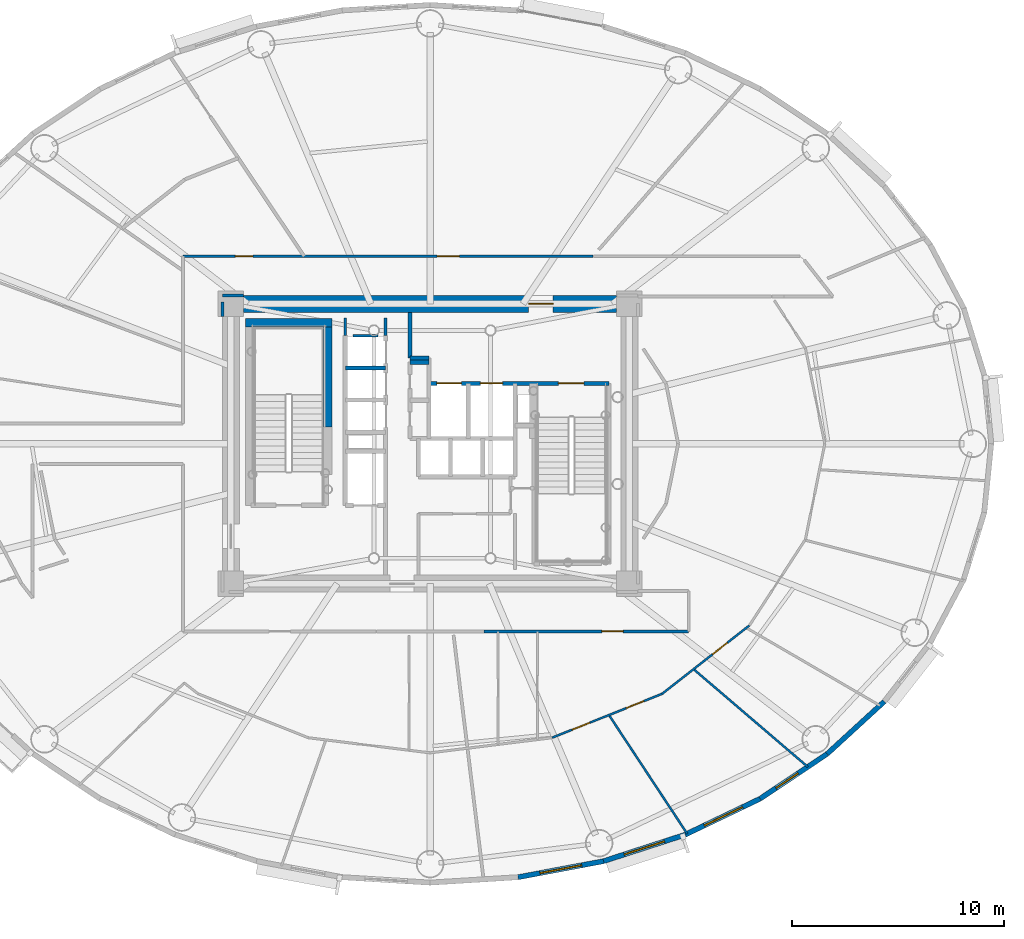
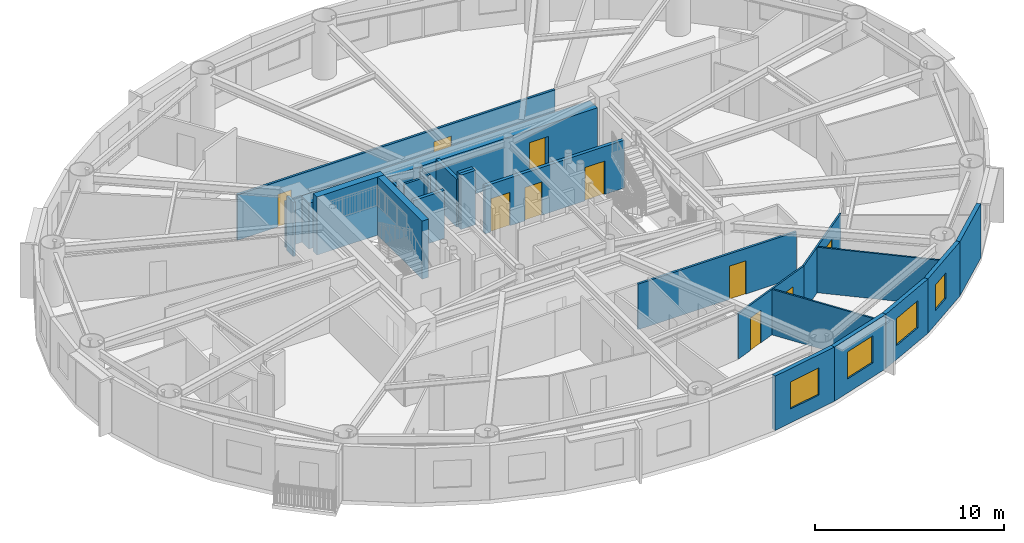
# One storey, part 10 of 18: 24 walls, 10 doors, 4 windows, 14 openings.
"""IFC4 building model written with IfcOpenShell, lengths in metres."""

from ifc_helpers import new_model, si_unit, direction, frame, frame_2d, origin, origin_2d, place, context, subcontext, project, spatial, rectangle, extrude, source, transform, mapped, material, layer, layer_set, type_object, element, fill, save


model = new_model("IFC4")

# Units and contexts
model_context = context("Model", 3, precision=1e-05, world=origin(), true_north=direction((0.0, 1.0)))
body_context = subcontext(model_context, "Body", "Model", "MODEL_VIEW")
ifc_project = project(units=[si_unit("LENGTHUNIT", "METRE"), si_unit("AREAUNIT", "SQUARE_METRE"), si_unit("VOLUMEUNIT", "CUBIC_METRE"), si_unit("PLANEANGLEUNIT", "RADIAN"), si_unit("MASSUNIT", "GRAM", prefix="KILO")], contexts=[model_context])

# Site, building, storey
site_placement = place(None, origin())
site = spatial("IfcSite", under=ifc_project, at=site_placement, CompositionType="ELEMENT")
building_placement = place(site_placement, origin())
building = spatial("IfcBuilding", under=site, at=building_placement, Name="Linh Dai School and Residence Tower", CompositionType="ELEMENT")
storey_placement = place(building_placement, frame((0.0, 0.0, 167.39990234375)))
storey = spatial("IfcBuildingStorey", under=building, at=storey_placement, Name="L40", CompositionType="ELEMENT", Elevation=167.39990234375)

# Wall, opening, window
ifc_material_1 = material(Name="Precast Concrete B45 (C35/45)", Category="concrete")
ifc_layer_1 = layer(ifc_material_1, 0.239990234375)
ifc_layer_set_1 = layer_set([ifc_layer_1], Name="Precast Concrete B45 (C35/45)")
wall_type_1 = type_object("IfcWallType", Name="EW-TC-240", PredefinedType="SOLIDWALL", material=ifc_layer_set_1)
wall_1_placement = place(storey_placement, frame((44.18896484375, 7.310546875, 0.0), z_axis=(0.0, 0.0, 1.0), x_axis=(-0.982788108205, -0.184736391573, 0.0)))
wall_1 = element("IfcWall", 1, at=wall_1_placement, inside=storey, type_object=wall_type_1, Name="L40 Terracotta Exterior Wall 32", PredefinedType="SOLIDWALL", context=body_context, shape_type="SweptSolid", body=[
    extrude(rectangle(XDim=4.114013671875, YDim=0.239990234375, at=frame_2d((2.05712890625, 0.0))), origin(), (0.0, 0.0, 1.0), 3.5),
])
opening_1_placement = place(wall_1_placement, frame((1.05712890625, 0.0, 0.89990234375)))
opening_1 = element("IfcOpeningElement", 2, at=opening_1_placement, cuts=wall_1, Name="Opening W1", PredefinedType="OPENING", context=body_context, shape_type="SweptSolid", body=[
    extrude(rectangle(XDim=2.0, YDim=1.75, at=origin_2d()), frame((1.0, 0.1298828125, 0.875), z_axis=(0.0, -1.0, 0.0), x_axis=(1.0, 0.0, 0.0)), (0.0, 0.0, 1.0), 0.260009765625),
])
ifc_material_2 = material(Name="Double Low-E Insulated Glazing", Category="glass")
window_type_1 = type_object("IfcWindowType", Name="WN-RES-2000x1750", PartitioningType="DOUBLE_PANEL_VERTICAL", PredefinedType="WINDOW", material=ifc_material_2)
shared_shape_1 = source(origin(), body_context, "Body", "SweptSolid", [
    extrude(rectangle(XDim=2.0, YDim=1.75, at=origin_2d()), frame((1.0, 0.030029296875, 0.875), z_axis=(0.0, -1.0, 0.0), x_axis=(1.0, 0.0, 0.0)), (0.0, 0.0, 1.0), 0.06005859375),
])
window_1_placement = place(opening_1_placement, origin())
window_1 = element("IfcWindow", 3, at=window_1_placement, inside=storey, type_object=window_type_1, Name="L40 Exterior Window 32.1", OverallHeight=1.75, OverallWidth=2.0, PartitioningType="DOUBLE_PANEL_VERTICAL", PredefinedType="WINDOW", context=body_context, shape_type="MappedRepresentation", body=[
    mapped(shared_shape_1, transform((0.0, 0.0, 0.0), x_axis=(1.0, 0.0, 0.0), y_axis=(0.0, 1.0, 0.0), z_axis=(0.0, 0.0, 1.0), scale=1.0)),
])
fill(opening_1, window_1)

wall_2_placement = place(storey_placement, frame((48.02978515625, 8.556396484375, 0.0), z_axis=(0.0, 0.0, 1.0), x_axis=(-0.951209870236, -0.30854462038, 0.0)))
wall_2 = element("IfcWall", 4, at=wall_2_placement, inside=storey, type_object=wall_type_1, Name="L40 Terracotta Exterior Wall 33", PredefinedType="SOLIDWALL", context=body_context, shape_type="SweptSolid", body=[
    extrude(rectangle(XDim=4.037841796875, YDim=0.239990234375, at=frame_2d((2.01904296875, 0.0))), origin(), (0.0, 0.0, 1.0), 3.5),
])
opening_2_placement = place(wall_2_placement, frame((1.01904296875, 0.0, 0.89990234375)))
opening_2 = element("IfcOpeningElement", 5, at=opening_2_placement, cuts=wall_2, Name="Opening W1", PredefinedType="OPENING", context=body_context, shape_type="SweptSolid", body=[
    extrude(rectangle(XDim=2.0, YDim=1.75, at=origin_2d()), frame((1.0, 0.1298828125, 0.875), z_axis=(0.0, -1.0, 0.0), x_axis=(1.0, 0.0, 0.0)), (0.0, 0.0, 1.0), 0.260009765625),
])
window_2_placement = place(opening_2_placement, origin())
window_2 = element("IfcWindow", 6, at=window_2_placement, inside=storey, type_object=window_type_1, Name="L40 Exterior Window 33.1", OverallHeight=1.75, OverallWidth=2.0, PartitioningType="DOUBLE_PANEL_VERTICAL", PredefinedType="WINDOW", context=body_context, shape_type="MappedRepresentation", body=[
    mapped(shared_shape_1, transform((0.0, 0.0, 0.0), x_axis=(1.0, 0.0, 0.0), y_axis=(0.0, 1.0, 0.0), z_axis=(0.0, 0.0, 1.0), scale=1.0)),
])
fill(opening_2, window_2)

wall_3_placement = place(storey_placement, frame((51.5732421875, 10.2568359375, 0.0), z_axis=(0.0, 0.0, 1.0), x_axis=(-0.901564733809, -0.432644231155, 0.0)))
wall_3 = element("IfcWall", 7, at=wall_3_placement, inside=storey, type_object=wall_type_1, Name="L40 Terracotta Exterior Wall 34", PredefinedType="SOLIDWALL", context=body_context, shape_type="SweptSolid", body=[
    extrude(rectangle(XDim=3.930419921875, YDim=0.239990234375, at=frame_2d((1.96533203125, 0.0))), origin(), (0.0, 0.0, 1.0), 3.5),
])
opening_3_placement = place(wall_3_placement, frame((0.922607421875, 0.0, 0.89990234375)))
opening_3 = element("IfcOpeningElement", 8, at=opening_3_placement, cuts=wall_3, Name="Opening W1", PredefinedType="OPENING", context=body_context, shape_type="SweptSolid", body=[
    extrude(rectangle(XDim=2.0, YDim=1.75, at=origin_2d()), frame((1.0, 0.1298828125, 0.875), z_axis=(0.0, -1.0, 0.0), x_axis=(1.0, 0.0, 0.0)), (0.0, 0.0, 1.0), 0.260009765625),
])
window_3_placement = place(opening_3_placement, origin())
window_3 = element("IfcWindow", 9, at=window_3_placement, inside=storey, type_object=window_type_1, Name="L40 Exterior Window 34.1", OverallHeight=1.75, OverallWidth=2.0, PartitioningType="DOUBLE_PANEL_VERTICAL", PredefinedType="WINDOW", context=body_context, shape_type="MappedRepresentation", body=[
    mapped(shared_shape_1, transform((0.0, 0.0, 0.0), x_axis=(1.0, 0.0, 0.0), y_axis=(0.0, 1.0, 0.0), z_axis=(0.0, 0.0, 1.0), scale=1.0)),
])
fill(opening_3, window_3)

wall_4_placement = place(storey_placement, frame((54.73193359375, 12.369384765625, 0.0), z_axis=(0.0, 0.0, 1.0), x_axis=(-0.831228998277, -0.555930168657, 0.0)))
wall_4 = element("IfcWall", 10, at=wall_4_placement, inside=storey, type_object=wall_type_1, Name="L40 Terracotta Exterior Wall 35", PredefinedType="SOLIDWALL", context=body_context, shape_type="SweptSolid", body=[
    extrude(rectangle(XDim=3.800048828125, YDim=0.239990234375, at=frame_2d((1.89990234375, 0.0))), origin(), (0.0, 0.0, 1.0), 3.5),
])
opening_4_placement = place(wall_4_placement, frame((1.647705078125, 0.0, 0.89990234375)))
opening_4 = element("IfcOpeningElement", 11, at=opening_4_placement, cuts=wall_4, Name="Opening W3", PredefinedType="OPENING", context=body_context, shape_type="SweptSolid", body=[
    extrude(rectangle(XDim=1.25, YDim=1.64990234375, at=origin_2d()), frame((0.625, 0.1298828125, 0.824951171875), z_axis=(0.0, -1.0, 0.0), x_axis=(1.0, 0.0, 0.0)), (0.0, 0.0, 1.0), 0.260009765625),
])
window_type_2 = type_object("IfcWindowType", Name="WN-RES-1250x1650", PartitioningType="SINGLE_PANEL", PredefinedType="WINDOW", material=ifc_material_2)
shared_shape_2 = source(origin(), body_context, "Body", "SweptSolid", [
    extrude(rectangle(XDim=1.25, YDim=1.64990234375, at=origin_2d()), frame((0.625, 0.030029296875, 0.824951171875), z_axis=(0.0, -1.0, 0.0), x_axis=(1.0, 0.0, 0.0)), (0.0, 0.0, 1.0), 0.06005859375),
])
window_4_placement = place(opening_4_placement, origin())
window_4 = element("IfcWindow", 12, at=window_4_placement, inside=storey, type_object=window_type_2, Name="L40 Exterior Window 35.1", OverallHeight=1.64990234375, OverallWidth=1.25, PartitioningType="SINGLE_PANEL", PredefinedType="WINDOW", context=body_context, shape_type="MappedRepresentation", body=[
    mapped(shared_shape_2, transform((0.0, 0.0, 0.0), x_axis=(1.0, 0.0, 0.0), y_axis=(0.0, 1.0, 0.0), z_axis=(0.0, 0.0, 1.0), scale=1.0)),
])
fill(opening_4, window_4)

# Wall
wall_5_placement = place(storey_placement, frame((57.42822265625, 14.841552734375, 0.0), z_axis=(0.0, 0.0, 1.0), x_axis=(-0.737076565834, -0.675809245349, 0.0)))
element("IfcWall", 13, at=wall_5_placement, inside=storey, type_object=wall_type_1, Name="L40 Terracotta Exterior Wall 36", PredefinedType="SOLIDWALL", context=body_context, shape_type="SweptSolid", body=[
    extrude(rectangle(XDim=3.658203125, YDim=0.239990234375, at=frame_2d((1.8291015625, 0.0))), origin(), (0.0, 0.0, 1.0), 3.5),
])

# Wall, openings, doors
ifc_material_3 = material(Name="Autoclaved Aerated Concrete Blockwork", Category="masonry")
ifc_layer_2 = layer(ifc_material_3, 0.135009765625)
ifc_layer_set_2 = layer_set([ifc_layer_2], Name="Autoclaved Aerated Concrete Blockwork")
wall_type_2 = type_object("IfcWallType", Name="IW-CORR-135-EI90", PredefinedType="PARTITIONING", material=ifc_layer_set_2)
wall_6_placement = place(storey_placement, frame((24.35009765625, 35.85009765625, 0.0), z_axis=(0.0, 0.0, 1.0), x_axis=(1.0, 0.0, 0.0)))
wall_6 = element("IfcWall", 14, at=wall_6_placement, inside=storey, type_object=wall_type_2, Name="L40 Interior Partition Wall 020", PredefinedType="PARTITIONING", context=body_context, shape_type="SweptSolid", body=[
    extrude(rectangle(XDim=19.343017578125, YDim=0.135009765625, at=frame_2d((9.67138671875, 0.0))), origin(), (0.0, 0.0, 1.0), 2.93505859375),
])
opening_5_placement = place(wall_6_placement, frame((11.98046875, 0.0, 0.0)))
opening_5 = element("IfcOpeningElement", 15, at=opening_5_placement, cuts=wall_6, Name="Opening D04", PredefinedType="OPENING", context=body_context, shape_type="SweptSolid", body=[
    extrude(rectangle(XDim=1.050048828125, YDim=2.14990234375, at=origin_2d()), frame((0.52490234375, 0.07763671875, 1.074951171875), z_axis=(0.0, -1.0, 0.0), x_axis=(1.0, 0.0, 0.0)), (0.0, 0.0, 1.0), 0.155029296875),
])
opening_6_placement = place(wall_6_placement, frame((2.4638671875, 0.0, 0.0)))
opening_6 = element("IfcOpeningElement", 16, at=opening_6_placement, cuts=wall_6, Name="Opening D06", PredefinedType="OPENING", context=body_context, shape_type="SweptSolid", body=[
    extrude(rectangle(XDim=0.820068359375, YDim=2.10009765625, at=origin_2d()), frame((0.41015625, 0.07763671875, 1.050048828125), z_axis=(0.0, -1.0, 0.0), x_axis=(1.0, 0.0, 0.0)), (0.0, 0.0, 1.0), 0.155029296875),
])
ifc_material_4 = material(Name="Acoustic Vision-Panel Timber Classroom Door", Category="wood")
door_type_1 = type_object("IfcDoorType", Name="DR-SCH-1050x2150-FD60S", OperationType="NOTDEFINED", PredefinedType="DOOR", material=ifc_material_4)
shared_shape_3 = source(origin(), body_context, "Body", "SweptSolid", [
    extrude(rectangle(XDim=1.050048828125, YDim=2.14990234375, at=origin_2d()), frame((0.52490234375, 0.02490234375, 1.074951171875), z_axis=(0.0, -1.0, 0.0), x_axis=(1.0, 0.0, 0.0)), (0.0, 0.0, 1.0), 0.050048828125),
])
door_1_placement = place(opening_5_placement, origin())
door_1 = element("IfcDoor", 17, at=door_1_placement, inside=storey, type_object=door_type_1, Name="L40 Resident Music and Cinema Salon Door", OperationType="SINGLE_SWING_RIGHT", OverallHeight=2.14990234375, OverallWidth=1.050048828125, PredefinedType="DOOR", context=body_context, shape_type="MappedRepresentation", body=[
    mapped(shared_shape_3, transform((0.0, 0.0, 0.0), x_axis=(1.0, 0.0, 0.0), y_axis=(0.0, 1.0, 0.0), z_axis=(0.0, 0.0, 1.0), scale=1.0)),
])
fill(opening_5, door_1)
ifc_material_5 = material(Name="Moisture-Resistant Timber Bathroom Door", Category="wood")
door_type_2 = type_object("IfcDoorType", Name="DR-WET-820x2100", OperationType="NOTDEFINED", PredefinedType="DOOR", material=ifc_material_5)
shared_shape_4 = source(origin(), body_context, "Body", "SweptSolid", [
    extrude(rectangle(XDim=0.820068359375, YDim=2.10009765625, at=origin_2d()), frame((0.41015625, 0.02490234375, 1.050048828125), z_axis=(0.0, -1.0, 0.0), x_axis=(1.0, 0.0, 0.0)), (0.0, 0.0, 1.0), 0.050048828125),
])
door_2_placement = place(opening_6_placement, origin())
door_2 = element("IfcDoor", 18, at=door_2_placement, inside=storey, type_object=door_type_2, Name="L40 Amenity Accessible WC Door", OperationType="SINGLE_SWING_LEFT", OverallHeight=2.10009765625, OverallWidth=0.820068359375, PredefinedType="DOOR", context=body_context, shape_type="MappedRepresentation", body=[
    mapped(shared_shape_4, transform((0.0, 0.0, 0.0), x_axis=(1.0, 0.0, 0.0), y_axis=(0.0, 1.0, 0.0), z_axis=(0.0, 0.0, 1.0), scale=1.0)),
])
fill(opening_6, door_2)

# Wall, opening, door
wall_7_placement = place(storey_placement, frame((38.541259765625, 18.14990234375, 0.0), z_axis=(0.0, 0.0, 1.0), x_axis=(1.0, 0.0, 0.0)))
wall_7 = element("IfcWall", 19, at=wall_7_placement, inside=storey, type_object=wall_type_2, Name="L40 Interior Partition Wall 053", PredefinedType="PARTITIONING", context=body_context, shape_type="SweptSolid", body=[
    extrude(rectangle(XDim=9.65869140625, YDim=0.135009765625, at=frame_2d((4.829345703125, 0.0))), origin(), (0.0, 0.0, 1.0), 2.93505859375),
])
opening_7_placement = place(wall_7_placement, frame((5.568115234375, 0.0, 0.0)))
opening_7 = element("IfcOpeningElement", 20, at=opening_7_placement, cuts=wall_7, Name="Opening D03", PredefinedType="OPENING", context=body_context, shape_type="SweptSolid", body=[
    extrude(rectangle(XDim=1.0, YDim=2.14990234375, at=origin_2d()), frame((0.5, 0.07763671875, 1.074951171875), z_axis=(0.0, -1.0, 0.0), x_axis=(1.0, 0.0, 0.0)), (0.0, 0.0, 1.0), 0.155029296875),
])
ifc_material_6 = material(Name="Fire-Rated Solid Timber Entrance Door", Category="wood")
door_type_3 = type_object("IfcDoorType", Name="DR-FLAT-1000x2150-FD60S", OperationType="NOTDEFINED", PredefinedType="DOOR", material=ifc_material_6)
shared_shape_5 = source(origin(), body_context, "Body", "SweptSolid", [
    extrude(rectangle(XDim=1.0, YDim=2.14990234375, at=origin_2d()), frame((0.5, 0.02490234375, 1.074951171875), z_axis=(0.0, -1.0, 0.0), x_axis=(1.0, 0.0, 0.0)), (0.0, 0.0, 1.0), 0.050048828125),
])
door_3_placement = place(opening_7_placement, origin())
door_3 = element("IfcDoor", 21, at=door_3_placement, inside=storey, type_object=door_type_3, Name="L40 U4002 Apartment Entrance Door", OperationType="SINGLE_SWING_LEFT", OverallHeight=2.14990234375, OverallWidth=1.0, PredefinedType="DOOR", context=body_context, shape_type="MappedRepresentation", body=[
    mapped(shared_shape_5, transform((0.0, 0.0, 0.0), x_axis=(1.0, 0.0, 0.0), y_axis=(0.0, 1.0, 0.0), z_axis=(0.0, 0.0, 1.0), scale=1.0)),
])
fill(opening_7, door_3)

# Walls
wall_8_placement = place(storey_placement, frame((32.360107421875, 32.10009765625, 0.0), z_axis=(0.0, 0.0, 1.0), x_axis=(1.0, 0.0, 0.0)))
element("IfcWall", 22, at=wall_8_placement, inside=storey, type_object=wall_type_2, Name="L40 Interior Partition Wall 081", PredefinedType="PARTITIONING", context=body_context, shape_type="SweptSolid", body=[
    extrude(rectangle(XDim=1.179931640625, YDim=0.135009765625, at=frame_2d((0.58984375, 0.0))), origin(), (0.0, 0.0, 1.0), 3.085205078125),
])
wall_9_placement = place(storey_placement, frame((32.0, 32.93994140625, 0.0), z_axis=(0.0, 0.0, 1.0), x_axis=(0.0, -1.0, 0.0)))
element("IfcWall", 23, at=wall_9_placement, inside=storey, type_object=wall_type_2, Name="L40 Interior Partition Wall 083", PredefinedType="PARTITIONING", context=body_context, shape_type="SweptSolid", body=[
    extrude(rectangle(XDim=0.829833984375, YDim=0.135009765625, at=frame_2d((0.4150390625, 0.0))), origin(), (0.0, 0.0, 1.0), 3.03515625),
])
wall_10_placement = place(storey_placement, frame((33.89990234375, 32.110107421875, 0.0), z_axis=(0.0, 0.0, 1.0), x_axis=(0.0, 1.0, 0.0)))
element("IfcWall", 24, at=wall_10_placement, inside=storey, type_object=wall_type_2, Name="L40 Interior Partition Wall 084", PredefinedType="PARTITIONING", context=body_context, shape_type="SweptSolid", body=[
    extrude(rectangle(XDim=0.829833984375, YDim=0.135009765625, at=frame_2d((0.4150390625, 0.0))), origin(), (0.0, 0.0, 1.0), 3.085205078125),
])
wall_11_placement = place(storey_placement, frame((27.18994140625, 34.0, 0.0), z_axis=(0.0, 0.0, 1.0), x_axis=(-1.0, 0.0, 0.0)))
element("IfcWall", 25, at=wall_11_placement, inside=storey, type_object=wall_type_2, Name="L40 Interior Partition Wall 090", PredefinedType="PARTITIONING", context=body_context, shape_type="SweptSolid", body=[
    extrude(rectangle(XDim=0.989990234375, YDim=0.135009765625, at=frame_2d((0.4951171875, 0.0))), origin(), (0.0, 0.0, 1.0), 2.93505859375),
])
wall_12_placement = place(storey_placement, frame((26.199951171875, 33.6923828125, 0.0), z_axis=(0.0, 0.0, 1.0), x_axis=(0.0, -1.0, 0.0)))
element("IfcWall", 26, at=wall_12_placement, inside=storey, type_object=wall_type_2, Name="L40 Interior Partition Wall 091", PredefinedType="PARTITIONING", context=body_context, shape_type="SweptSolid", body=[
    extrude(rectangle(XDim=0.682373046875, YDim=0.135009765625, at=frame_2d((0.34130859375, 0.0))), origin(), (0.0, 0.0, 1.0), 3.5),
])
ifc_material_7 = material(Name="Concrete B45 (C35/45)", Category="concrete")
ifc_layer_3 = layer(ifc_material_7, 0.199951171875)
ifc_layer_set_3 = layer_set([ifc_layer_3], Name="Concrete B45 (C35/45)")
wall_type_3 = type_object("IfcWallType", Name="IW-SHAFT-200-EI120", PredefinedType="PARTITIONING", material=ifc_layer_set_3)
wall_13_placement = place(storey_placement, frame((32.0, 30.580078125, 0.0), z_axis=(0.0, 0.0, 1.0), x_axis=(1.0, 0.0, 0.0)))
element("IfcWall", 27, at=wall_13_placement, inside=storey, type_object=wall_type_3, Name="L40 Interior Partition Wall 033", PredefinedType="PARTITIONING", context=body_context, shape_type="SweptSolid", body=[
    extrude(rectangle(XDim=1.89990234375, YDim=0.199951171875, at=frame_2d((0.949951171875, 0.0))), origin(), (0.0, 0.0, 1.0), 3.085205078125),
])
wall_14_placement = place(storey_placement, frame((35.050048828125, 30.85009765625, 0.0), z_axis=(0.0, 0.0, 1.0), x_axis=(1.0, 0.0, 0.0)))
element("IfcWall", 28, at=wall_14_placement, inside=storey, type_object=wall_type_3, Name="L40 Interior Partition Wall 039", PredefinedType="PARTITIONING", context=body_context, shape_type="SweptSolid", body=[
    extrude(rectangle(XDim=0.89990234375, YDim=0.199951171875, at=frame_2d((0.449951171875, 0.0))), origin(), (0.0, 0.0, 1.0), 3.5),
])
wall_15_placement = place(storey_placement, frame((35.050048828125, 31.050048828125, 0.0), z_axis=(0.0, 0.0, 1.0), x_axis=(0.0, 1.0, 0.0)))
element("IfcWall", 29, at=wall_15_placement, inside=storey, type_object=wall_type_3, Name="L40 Interior Partition Wall 040", PredefinedType="PARTITIONING", context=body_context, shape_type="SweptSolid", body=[
    extrude(rectangle(XDim=2.14990234375, YDim=0.199951171875, at=frame_2d((1.074951171875, 0.0))), origin(), (0.0, 0.0, 1.0), 3.085205078125),
])
wall_16_placement = place(storey_placement, frame((35.050048828125, 31.050048828125, 0.0), z_axis=(0.0, 0.0, 1.0), x_axis=(1.0, 0.0, 0.0)))
element("IfcWall", 30, at=wall_16_placement, inside=storey, type_object=wall_type_3, Name="L40 Interior Partition Wall 041", PredefinedType="PARTITIONING", context=body_context, shape_type="SweptSolid", body=[
    extrude(rectangle(XDim=0.89990234375, YDim=0.199951171875, at=frame_2d((0.449951171875, 0.0))), origin(), (0.0, 0.0, 1.0), 3.5),
])

# Wall, openings, doors
wall_17_placement = place(storey_placement, frame((35.949951171875, 29.85009765625, 0.0), z_axis=(0.0, 0.0, 1.0), x_axis=(1.0, 0.0, 0.0)))
wall_17 = element("IfcWall", 31, at=wall_17_placement, inside=storey, type_object=wall_type_3, Name="L40 Interior Partition Wall 047", PredefinedType="PARTITIONING", context=body_context, shape_type="SweptSolid", body=[
    extrude(rectangle(XDim=8.489990234375, YDim=0.199951171875, at=frame_2d((4.2451171875, 0.0))), origin(), (0.0, 0.0, 1.0), 3.085205078125),
])
opening_8_placement = place(wall_17_placement, frame((6.10009765625, 0.0, 0.0)))
opening_8 = element("IfcOpeningElement", 32, at=opening_8_placement, cuts=wall_17, Name="Opening D01", PredefinedType="OPENING", context=body_context, shape_type="SweptSolid", body=[
    extrude(rectangle(XDim=1.199951171875, YDim=2.14990234375, at=origin_2d()), frame((0.60009765625, 0.10986328125, 1.074951171875), z_axis=(0.0, -1.0, 0.0), x_axis=(1.0, 0.0, 0.0)), (0.0, 0.0, 1.0), 0.219970703125),
])
opening_9_placement = place(wall_17_placement, frame((0.3701171875, 0.0, 0.0)))
opening_9 = element("IfcOpeningElement", 33, at=opening_9_placement, cuts=wall_17, Name="Opening LD-FF1", PredefinedType="OPENING", context=body_context, shape_type="SweptSolid", body=[
    extrude(rectangle(XDim=1.14990234375, YDim=2.14990234375, at=origin_2d()), frame((0.574951171875, 0.10986328125, 1.074951171875), z_axis=(0.0, -1.0, 0.0), x_axis=(1.0, 0.0, 0.0)), (0.0, 0.0, 1.0), 0.219970703125),
])
opening_10_placement = place(wall_17_placement, frame((2.425048828125, 0.0, 0.0)))
opening_10 = element("IfcOpeningElement", 34, at=opening_10_placement, cuts=wall_17, Name="Opening LD-SV1", PredefinedType="OPENING", context=body_context, shape_type="SweptSolid", body=[
    extrude(rectangle(XDim=1.050048828125, YDim=2.14990234375, at=origin_2d()), frame((0.52490234375, 0.10986328125, 1.074951171875), z_axis=(0.0, -1.0, 0.0), x_axis=(1.0, 0.0, 0.0)), (0.0, 0.0, 1.0), 0.219970703125),
])
ifc_material_8 = material(Name="Fire-Rated Steel Door Leaf", Category="steel")
door_type_4 = type_object("IfcDoorType", Name="DR-STAIR-1200x2150-FD90S", OperationType="NOTDEFINED", PredefinedType="DOOR", material=ifc_material_8)
shared_shape_6 = source(origin(), body_context, "Body", "SweptSolid", [
    extrude(rectangle(XDim=1.199951171875, YDim=2.14990234375, at=origin_2d()), frame((0.60009765625, 0.02490234375, 1.074951171875), z_axis=(0.0, -1.0, 0.0), x_axis=(1.0, 0.0, 0.0)), (0.0, 0.0, 1.0), 0.050048828125),
])
door_4_placement = place(opening_8_placement, origin())
door_4 = element("IfcDoor", 35, at=door_4_placement, inside=storey, type_object=door_type_4, Name="L40 Core Smokeproof Exit Stair ST2 Door", OperationType="SINGLE_SWING_LEFT", OverallHeight=2.14990234375, OverallWidth=1.199951171875, PredefinedType="DOOR", context=body_context, shape_type="MappedRepresentation", body=[
    mapped(shared_shape_6, transform((0.0, 0.0, 0.0), x_axis=(1.0, 0.0, 0.0), y_axis=(0.0, 1.0, 0.0), z_axis=(0.0, 0.0, 1.0), scale=1.0)),
])
fill(opening_8, door_4)
ifc_material_9 = material(Name="Fire-Rated Stainless Steel Firefighting Lift Door", Category="steel")
door_type_5 = type_object("IfcDoorType", Name="DR-LD-FF-1150x2150-FD120", OperationType="DOUBLE_DOOR_SLIDING", PredefinedType="USERDEFINED", material=ifc_material_9)
shared_shape_7 = source(origin(), body_context, "Body", "SweptSolid", [
    extrude(rectangle(XDim=1.14990234375, YDim=2.14990234375, at=origin_2d()), frame((0.574951171875, 0.02490234375, 1.074951171875), z_axis=(0.0, -1.0, 0.0), x_axis=(1.0, 0.0, 0.0)), (0.0, 0.0, 1.0), 0.050048828125),
])
door_5_placement = place(opening_9_placement, origin())
door_5 = element("IfcDoor", 36, at=door_5_placement, inside=storey, type_object=door_type_5, Name="L40 Lift FF1 Sliding Landing Door", ObjectType="LANDING DOOR", OperationType="DOUBLE_DOOR_SLIDING", OverallHeight=2.14990234375, OverallWidth=1.14990234375, PredefinedType="USERDEFINED", context=body_context, shape_type="MappedRepresentation", body=[
    mapped(shared_shape_7, transform((0.0, 0.0, 0.0), x_axis=(1.0, 0.0, 0.0), y_axis=(0.0, 1.0, 0.0), z_axis=(0.0, 0.0, 1.0), scale=1.0)),
])
fill(opening_9, door_5)
ifc_material_10 = material(Name="Brushed Stainless Steel Lift Landing Door", Category="steel")
door_type_6 = type_object("IfcDoorType", Name="DR-LD-PASS-1050x2150", OperationType="DOUBLE_DOOR_SLIDING", PredefinedType="USERDEFINED", material=ifc_material_10)
shared_shape_8 = source(origin(), body_context, "Body", "SweptSolid", [
    extrude(rectangle(XDim=1.050048828125, YDim=2.14990234375, at=origin_2d()), frame((0.52490234375, 0.02490234375, 1.074951171875), z_axis=(0.0, -1.0, 0.0), x_axis=(1.0, 0.0, 0.0)), (0.0, 0.0, 1.0), 0.050048828125),
])
door_6_placement = place(opening_10_placement, origin())
door_6 = element("IfcDoor", 37, at=door_6_placement, inside=storey, type_object=door_type_6, Name="L40 Lift SV1 Sliding Landing Door", ObjectType="LANDING DOOR", OperationType="DOUBLE_DOOR_SLIDING", OverallHeight=2.14990234375, OverallWidth=1.050048828125, PredefinedType="USERDEFINED", context=body_context, shape_type="MappedRepresentation", body=[
    mapped(shared_shape_8, transform((0.0, 0.0, 0.0), x_axis=(1.0, 0.0, 0.0), y_axis=(0.0, 1.0, 0.0), z_axis=(0.0, 0.0, 1.0), scale=1.0)),
])
fill(opening_10, door_6)

ifc_material_11 = material(Name="Gypsum Plasterboard Acoustic Stud Partition", Category="masonry")
ifc_layer_4 = layer(ifc_material_11, 0.10009765625)
ifc_layer_set_4 = layer_set([ifc_layer_4], Name="Gypsum Plasterboard Acoustic Stud Partition")
wall_type_4 = type_object("IfcWallType", Name="IW-UNIT-100", PredefinedType="PARTITIONING", material=ifc_layer_set_4)
wall_18_placement = place(storey_placement, frame((41.75390625, 13.132568359375, 0.0), z_axis=(0.0, 0.0, 1.0), x_axis=(0.928798710424, 0.370584613166, 0.0)))
wall_18 = element("IfcWall", 38, at=wall_18_placement, inside=storey, type_object=wall_type_4, Name="L40 Interior Partition Wall 062", PredefinedType="PARTITIONING", context=body_context, shape_type="SweptSolid", body=[
    extrude(rectangle(XDim=5.588623046875, YDim=0.10009765625, at=frame_2d((2.79443359375, 0.0))), origin(), (0.0, 0.0, 1.0), 2.93505859375),
])
opening_11_placement = place(wall_18_placement, frame((1.014892578125, 0.0, 0.0)))
opening_11 = element("IfcOpeningElement", 39, at=opening_11_placement, cuts=wall_18, Name="Opening D05", PredefinedType="OPENING", context=body_context, shape_type="SweptSolid", body=[
    extrude(rectangle(XDim=0.89990234375, YDim=2.10009765625, at=origin_2d()), frame((0.449951171875, 0.06005859375, 1.050048828125), z_axis=(0.0, -1.0, 0.0), x_axis=(1.0, 0.0, 0.0)), (0.0, 0.0, 1.0), 0.1201171875),
])
opening_12_placement = place(wall_18_placement, frame((3.76904296875, 0.0, 0.0)))
opening_12 = element("IfcOpeningElement", 40, at=opening_12_placement, cuts=wall_18, Name="Opening D05", PredefinedType="OPENING", context=body_context, shape_type="SweptSolid", body=[
    extrude(rectangle(XDim=0.89990234375, YDim=2.10009765625, at=origin_2d()), frame((0.449951171875, 0.06005859375, 1.050048828125), z_axis=(0.0, -1.0, 0.0), x_axis=(1.0, 0.0, 0.0)), (0.0, 0.0, 1.0), 0.1201171875),
])
ifc_material_12 = material(Name="Engineered Timber Internal Door", Category="wood")
door_type_7 = type_object("IfcDoorType", Name="DR-INT-900x2100", OperationType="NOTDEFINED", PredefinedType="DOOR", material=ifc_material_12)
shared_shape_9 = source(origin(), body_context, "Body", "SweptSolid", [
    extrude(rectangle(XDim=0.89990234375, YDim=2.10009765625, at=origin_2d()), frame((0.449951171875, 0.02490234375, 1.050048828125), z_axis=(0.0, -1.0, 0.0), x_axis=(1.0, 0.0, 0.0)), (0.0, 0.0, 1.0), 0.050048828125),
])
door_7_placement = place(opening_11_placement, origin())
door_7 = element("IfcDoor", 41, at=door_7_placement, inside=storey, type_object=door_type_7, Name="L40 Apartment U4002 Principal Bedroom 1 Door", OperationType="SINGLE_SWING_RIGHT", OverallHeight=2.10009765625, OverallWidth=0.89990234375, PredefinedType="DOOR", context=body_context, shape_type="MappedRepresentation", body=[
    mapped(shared_shape_9, transform((0.0, 0.0, 0.0), x_axis=(1.0, 0.0, 0.0), y_axis=(0.0, 1.0, 0.0), z_axis=(0.0, 0.0, 1.0), scale=1.0)),
])
fill(opening_11, door_7)
door_8_placement = place(opening_12_placement, origin())
door_8 = element("IfcDoor", 42, at=door_8_placement, inside=storey, type_object=door_type_7, Name="L40 Apartment U4002 Principal Bedroom 2 Door", OperationType="SINGLE_SWING_LEFT", OverallHeight=2.10009765625, OverallWidth=0.89990234375, PredefinedType="DOOR", context=body_context, shape_type="MappedRepresentation", body=[
    mapped(shared_shape_9, transform((0.0, 0.0, 0.0), x_axis=(1.0, 0.0, 0.0), y_axis=(0.0, 1.0, 0.0), z_axis=(0.0, 0.0, 1.0), scale=1.0)),
])
fill(opening_12, door_8)

# Wall
wall_19_placement = place(storey_placement, frame((44.437744140625, 14.20361328125, 0.0), z_axis=(0.0, 0.0, 1.0), x_axis=(0.550479331571, -0.834848792006, 0.0)))
element("IfcWall", 43, at=wall_19_placement, inside=storey, type_object=wall_type_4, Name="L40 Interior Partition Wall 063", PredefinedType="PARTITIONING", context=body_context, shape_type="SweptSolid", body=[
    extrude(rectangle(XDim=6.7119140625, YDim=0.10009765625, at=frame_2d((3.35595703125, 0.0))), origin(), (0.0, 0.0, 1.0), 2.93505859375),
])

# Wall, opening, door
wall_20_placement = place(storey_placement, frame((46.944580078125, 15.20361328125, 0.0), z_axis=(0.0, 0.0, 1.0), x_axis=(0.787300155222, 0.616569919463, 0.0)))
wall_20 = element("IfcWall", 44, at=wall_20_placement, inside=storey, type_object=wall_type_4, Name="L40 Interior Partition Wall 067", PredefinedType="PARTITIONING", context=body_context, shape_type="SweptSolid", body=[
    extrude(rectangle(XDim=5.232177734375, YDim=0.10009765625, at=frame_2d((2.6162109375, 0.0))), origin(), (0.0, 0.0, 1.0), 2.93505859375),
])
opening_13_placement = place(wall_20_placement, frame((3.017822265625, 0.0, 0.0)))
opening_13 = element("IfcOpeningElement", 45, at=opening_13_placement, cuts=wall_20, Name="Opening D05", PredefinedType="OPENING", context=body_context, shape_type="SweptSolid", body=[
    extrude(rectangle(XDim=0.89990234375, YDim=2.10009765625, at=origin_2d()), frame((0.449951171875, 0.06005859375, 1.050048828125), z_axis=(0.0, -1.0, 0.0), x_axis=(1.0, 0.0, 0.0)), (0.0, 0.0, 1.0), 0.1201171875),
])
door_9_placement = place(opening_13_placement, origin())
door_9 = element("IfcDoor", 46, at=door_9_placement, inside=storey, type_object=door_type_7, Name="L40 Apartment U4002 Study Door", OperationType="SINGLE_SWING_RIGHT", OverallHeight=2.10009765625, OverallWidth=0.89990234375, PredefinedType="DOOR", context=body_context, shape_type="MappedRepresentation", body=[
    mapped(shared_shape_9, transform((0.0, 0.0, 0.0), x_axis=(1.0, 0.0, 0.0), y_axis=(0.0, 1.0, 0.0), z_axis=(0.0, 0.0, 1.0), scale=1.0)),
])
fill(opening_13, door_9)

# Walls
wall_21_placement = place(storey_placement, frame((48.43017578125, 16.3671875, 0.0), z_axis=(0.0, 0.0, 1.0), x_axis=(0.759902290403, -0.650037313575, 0.0)))
element("IfcWall", 47, at=wall_21_placement, inside=storey, type_object=wall_type_4, Name="L40 Interior Partition Wall 069", PredefinedType="PARTITIONING", context=body_context, shape_type="SweptSolid", body=[
    extrude(rectangle(XDim=7.095458984375, YDim=0.10009765625, at=frame_2d((3.5478515625, 0.0))), origin(), (0.0, 0.0, 1.0), 2.93505859375),
])
ifc_layer_5 = layer(ifc_material_7, 0.39990234375)
ifc_layer_set_5 = layer_set([ifc_layer_5], Name="Concrete B45 (C35/45)")
wall_type_5 = type_object("IfcWallType", Name="WL-CORE400", PredefinedType="SHEAR", material=ifc_layer_set_5)
wall_22_placement = place(storey_placement, frame((31.179931640625, 27.800048828125, 0.0), z_axis=(0.0, 0.0, 1.0), x_axis=(0.0, 1.0, 0.0)))
element("IfcWall", 48, at=wall_22_placement, inside=storey, type_object=wall_type_5, Name="L40 Core Stair ST1 Bearing Wall E", PredefinedType="SHEAR", context=body_context, shape_type="SweptSolid", body=[
    extrude(rectangle(XDim=4.89990234375, YDim=0.39990234375, at=frame_2d((2.449951171875, 0.0))), origin(), (0.0, 0.0, 1.0), 3.75),
])
wall_23_placement = place(storey_placement, frame((27.280029296875, 32.699951171875, 0.0), z_axis=(0.0, 0.0, 1.0), x_axis=(1.0, 0.0, 0.0)))
element("IfcWall", 49, at=wall_23_placement, inside=storey, type_object=wall_type_5, Name="L40 Core Stair ST1 Bearing Wall N", PredefinedType="SHEAR", context=body_context, shape_type="SweptSolid", body=[
    extrude(rectangle(XDim=4.099853515625, YDim=0.39990234375, at=frame_2d((2.0498046875, 0.0))), origin(), (0.0, 0.0, 1.0), 3.75),
])

# Wall, opening, door
ifc_material_13 = material(Name="Concrete B60 (C50/60)", Category="concrete")
ifc_layer_6 = layer(ifc_material_13, 0.800048828125)
ifc_layer_set_6 = layer_set([ifc_layer_6], Name="Concrete B60 (C50/60)")
wall_type_6 = type_object("IfcWallType", Name="WL-CORE800", PredefinedType="SHEAR", material=ifc_layer_set_6)
wall_24_placement = place(storey_placement, frame((27.199951171875, 33.60009765625, 0.0), z_axis=(0.0, 0.0, 1.0), x_axis=(1.0, 0.0, 0.0)))
wall_24 = element("IfcWall", 50, at=wall_24_placement, inside=storey, type_object=wall_type_6, Name="L40 Central Core Shear Wall N", PredefinedType="SHEAR", context=body_context, shape_type="SweptSolid", body=[
    extrude(rectangle(XDim=17.60009765625, YDim=0.800048828125, at=frame_2d((8.800048828125, 0.0))), origin(), (0.0, 0.0, 1.0), 2.9501953125),
])
opening_14_placement = place(wall_24_placement, frame((13.449951171875, 0.0, 0.0)))
opening_14 = element("IfcOpeningElement", 51, at=opening_14_placement, cuts=wall_24, Name="Opening D02", PredefinedType="OPENING", context=body_context, shape_type="SweptSolid", body=[
    extrude(rectangle(XDim=1.14990234375, YDim=2.14990234375, at=origin_2d()), frame((0.574951171875, 0.41015625, 1.074951171875), z_axis=(0.0, -1.0, 0.0), x_axis=(1.0, 0.0, 0.0)), (0.0, 0.0, 1.0), 0.820068359375),
])
ifc_material_14 = material(Name="Fire-Rated Glazed Steel Lobby Door", Category="steel")
door_type_8 = type_object("IfcDoorType", Name="DR-LOBBY-1150x2150-FD90S", OperationType="NOTDEFINED", PredefinedType="DOOR", material=ifc_material_14)
shared_shape_10 = source(origin(), body_context, "Body", "SweptSolid", [
    extrude(rectangle(XDim=1.14990234375, YDim=2.14990234375, at=origin_2d()), frame((0.574951171875, 0.02490234375, 1.074951171875), z_axis=(0.0, -1.0, 0.0), x_axis=(1.0, 0.0, 0.0)), (0.0, 0.0, 1.0), 0.050048828125),
])
door_10_placement = place(opening_14_placement, origin())
door_10 = element("IfcDoor", 52, at=door_10_placement, inside=storey, type_object=door_type_8, Name="L40 Firefighting Lobby Door", OperationType="SINGLE_SWING_RIGHT", OverallHeight=2.14990234375, OverallWidth=1.14990234375, PredefinedType="DOOR", context=body_context, shape_type="MappedRepresentation", body=[
    mapped(shared_shape_10, transform((0.0, 0.0, 0.0), x_axis=(1.0, 0.0, 0.0), y_axis=(0.0, 1.0, 0.0), z_axis=(0.0, 0.0, 1.0), scale=1.0)),
])
fill(opening_14, door_10)

save(model, "model.ifc")
